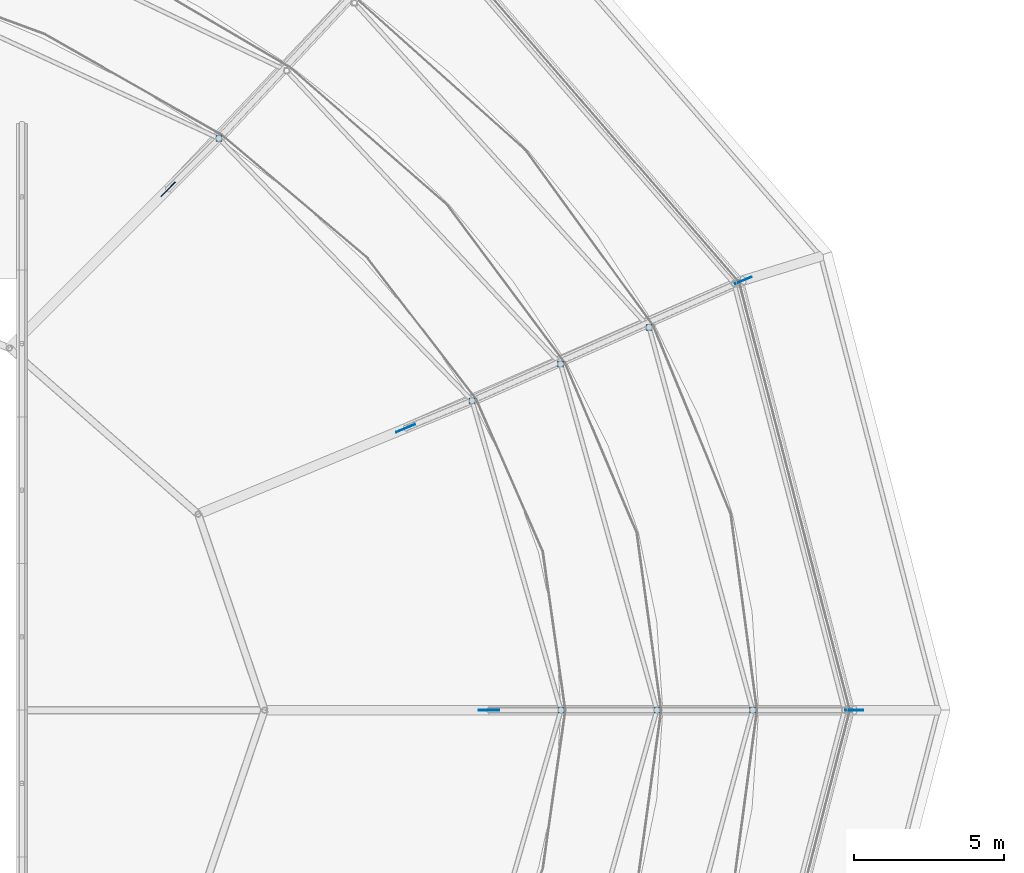
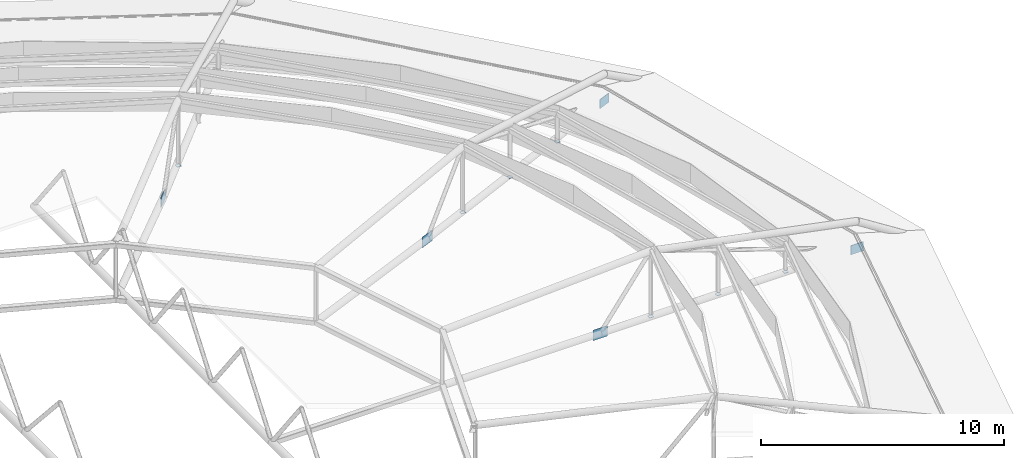
# One storey, part 118 of 134: 12 plates.
"""IFC4 building model written with IfcOpenShell, lengths in metres."""

from ifc_helpers import new_model, si_unit, derived_unit, direction, frame, origin, origin_2d, place, context, subcontext, project, spatial, rectangle, extrude, material, layer, layer_set, type_object, element, save


model = new_model("IFC4")

# Units and contexts
model_context = context("Model", 3, precision=1e-05, world=origin(), true_north=direction((0.0, 1.0)))
body_context = subcontext(model_context, "Body", "Model", "MODEL_VIEW")
ifc_project = project(units=[si_unit("LENGTHUNIT", "METRE"), si_unit("AREAUNIT", "SQUARE_METRE"), si_unit("VOLUMEUNIT", "CUBIC_METRE"), si_unit("PLANEANGLEUNIT", "RADIAN"), si_unit("MASSUNIT", "GRAM", prefix="KILO"), derived_unit("THERMALTRANSMITTANCEUNIT", [(si_unit("MASSUNIT", "GRAM", prefix="KILO"), 1), (si_unit("TIMEUNIT", "SECOND"), -3), (si_unit("THERMODYNAMICTEMPERATUREUNIT", "KELVIN"), -1)])], contexts=[model_context])

# Site, building, storey
site_placement = place(None, origin())
site = spatial("IfcSite", under=ifc_project, at=site_placement, CompositionType="ELEMENT")
building_placement = place(site_placement, origin())
building = spatial("IfcBuilding", under=site, at=building_placement, Name="Kharveza Railside Sports Centre", CompositionType="ELEMENT")
storey_placement = place(building_placement, frame((0.0, 0.0, 12.89990234375)))
storey = spatial("IfcBuildingStorey", under=building, at=storey_placement, Name="L03", CompositionType="ELEMENT", Elevation=12.89990234375)

# Plates
ifc_material = material(Name="Steel S355J2", Category="steel")
ifc_layer_1 = layer(ifc_material, 0.02001953125, Name="Steel S355J2")
ifc_layer_set_1 = layer_set([ifc_layer_1], Name="Steel S355J2")
plate_type_1 = type_object("IfcPlateType", Name="PL-EC09", PredefinedType="USERDEFINED", material=ifc_layer_set_1)
for number, where, z_axis, x_axis, name in (
    (1, (100.0, 50.39990234375, -0.059814453125), (0.0, 0.0, 1.0), (1.0, 0.0, 0.0), "PLT-EC-020"),
    (2, (96.544189453125, 63.181640625, -0.059814453125), (0.0, 0.0, 1.0), (1.0, 0.0, 0.0), "PLT-EC-021"),
    (3, (96.800048828125, 50.39990234375, -0.059814453125), (0.0, 0.0, 1.0), (1.0, 0.0, 0.0), "PLT-EC-036"),
    (4, (93.587646484375, 61.95703125, -0.059814453125), (0.0, 0.0, 1.0), (1.0, 0.0, 0.0), "PLT-EC-037"),
    (5, (93.60009765625, 50.39990234375, -0.059814453125), (0.0, 0.0, 1.0), (1.0, 0.0, 0.0), "PLT-EC-052"),
    (6, (90.63134765625, 60.732421875, -0.059814453125), (0.0, 0.0, 1.0), (1.0, 0.0, 0.0), "PLT-EC-053"),
    (7, (82.17724609375, 69.491943359375, -0.059814453125), (0.0, 0.0, 1.0), (1.0, 0.0, 0.0), "PLT-EC-054"),
):
    element("IfcPlate", number, at=place(storey_placement, frame(where, z_axis=z_axis, x_axis=x_axis)), inside=storey, type_object=plate_type_1, Name=name, ObjectType="END_CAP_PLATE", PredefinedType="USERDEFINED", context=body_context, shape_type="SweptSolid", body=[
        extrude(rectangle(XDim=0.194091796875, YDim=0.194091796875, at=origin_2d()), origin(), (0.0, 0.0, 1.0), 0.02001953125),
    ])
ifc_layer_2 = layer(ifc_material, 0.030029296875, Name="Steel S355J2")
ifc_layer_set_2 = layer_set([ifc_layer_2], Name="Steel S355J2")
plate_type_2 = type_object("IfcPlateType", Name="PL-GS01", PredefinedType="USERDEFINED", material=ifc_layer_set_2)
for number, where, z_axis, x_axis, name in (
    (8, (91.199951171875, 50.39990234375, -0.309814453125), (0.0, 0.0, 1.0), (1.0, 0.0, 0.0), "PLT-GS-DRUM-01"),
    (9, (88.4140625, 59.81396484375, -0.309814453125), (0.0, 0.0, 1.0), (0.923879532511, 0.382683432365, 0.0), "PLT-GS-DRUM-02"),
    (10, (80.47998046875, 67.794921875, -0.309814453125), (0.0, 0.0, 1.0), (0.707106781187, 0.707106781187, 0.0), "PLT-GS-DRUM-03"),
):
    element("IfcPlate", number, at=place(storey_placement, frame(where, z_axis=z_axis, x_axis=x_axis)), inside=storey, type_object=plate_type_2, Name=name, ObjectType="GUSSET_PLATE", PredefinedType="USERDEFINED", context=body_context, shape_type="SweptSolid", body=[
        extrude(rectangle(XDim=0.679931640625, YDim=0.030029296875, at=origin_2d()), origin(), (0.0, 0.0, 1.0), 0.52001953125),
    ])
ifc_layer_3 = layer(ifc_material, 0.02490234375, Name="Steel S355J2")
ifc_layer_set_3 = layer_set([ifc_layer_3], Name="Steel S355J2")
plate_type_3 = type_object("IfcPlateType", Name="PL-GS02", PredefinedType="USERDEFINED", material=ifc_layer_set_3)
for number, where, z_axis, x_axis, name in (
    (11, (103.39990234375, 50.39990234375, -0.27978515625), (0.0, 0.0, 1.0), (1.0, 0.0, 0.0), "PLT-GS-RAKER-01"),
    (12, (99.685302734375, 64.75048828125, -0.27978515625), (0.0, 0.0, 1.0), (0.923879532511, 0.382683432365, 0.0), "PLT-GS-RAKER-02"),
):
    element("IfcPlate", number, at=place(storey_placement, frame(where, z_axis=z_axis, x_axis=x_axis)), inside=storey, type_object=plate_type_3, Name=name, ObjectType="GUSSET_PLATE", PredefinedType="USERDEFINED", context=body_context, shape_type="SweptSolid", body=[
        extrude(rectangle(XDim=0.60009765625, YDim=0.02490234375, at=origin_2d()), origin(), (0.0, 0.0, 1.0), 0.4599609375),
    ])

save(model, "model.ifc")
